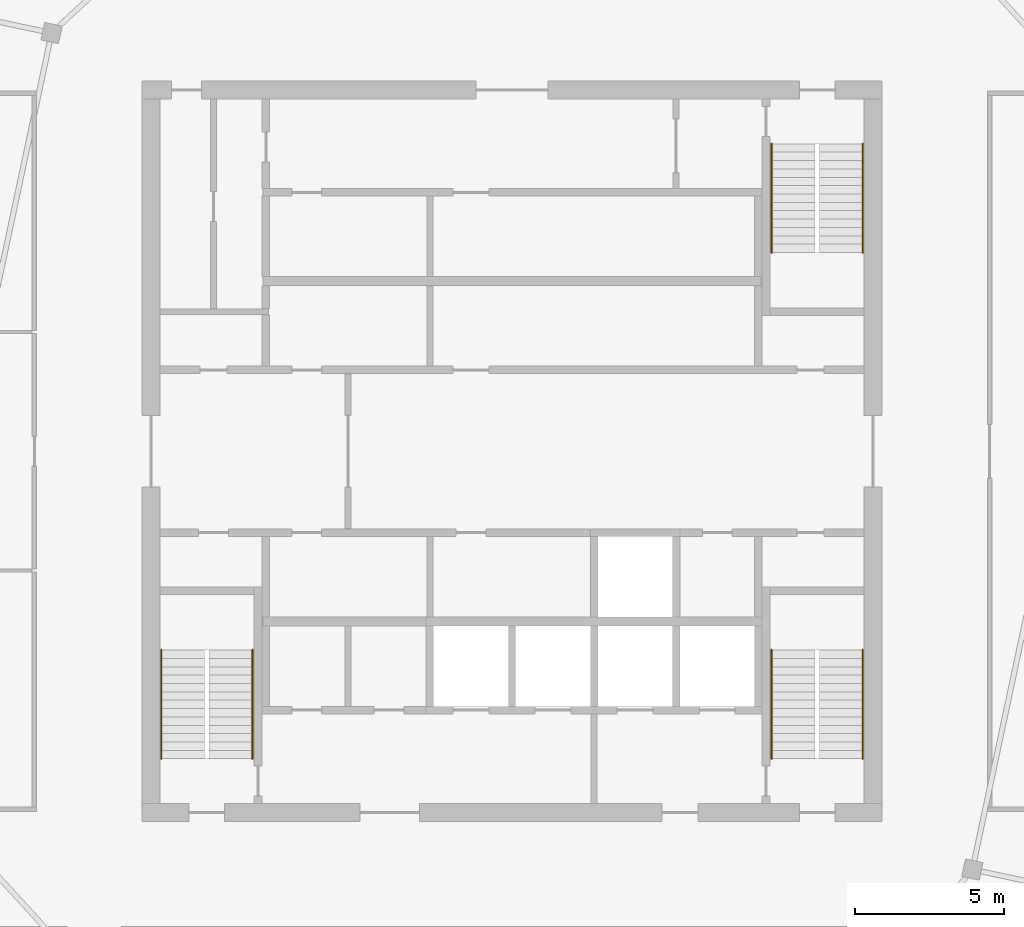
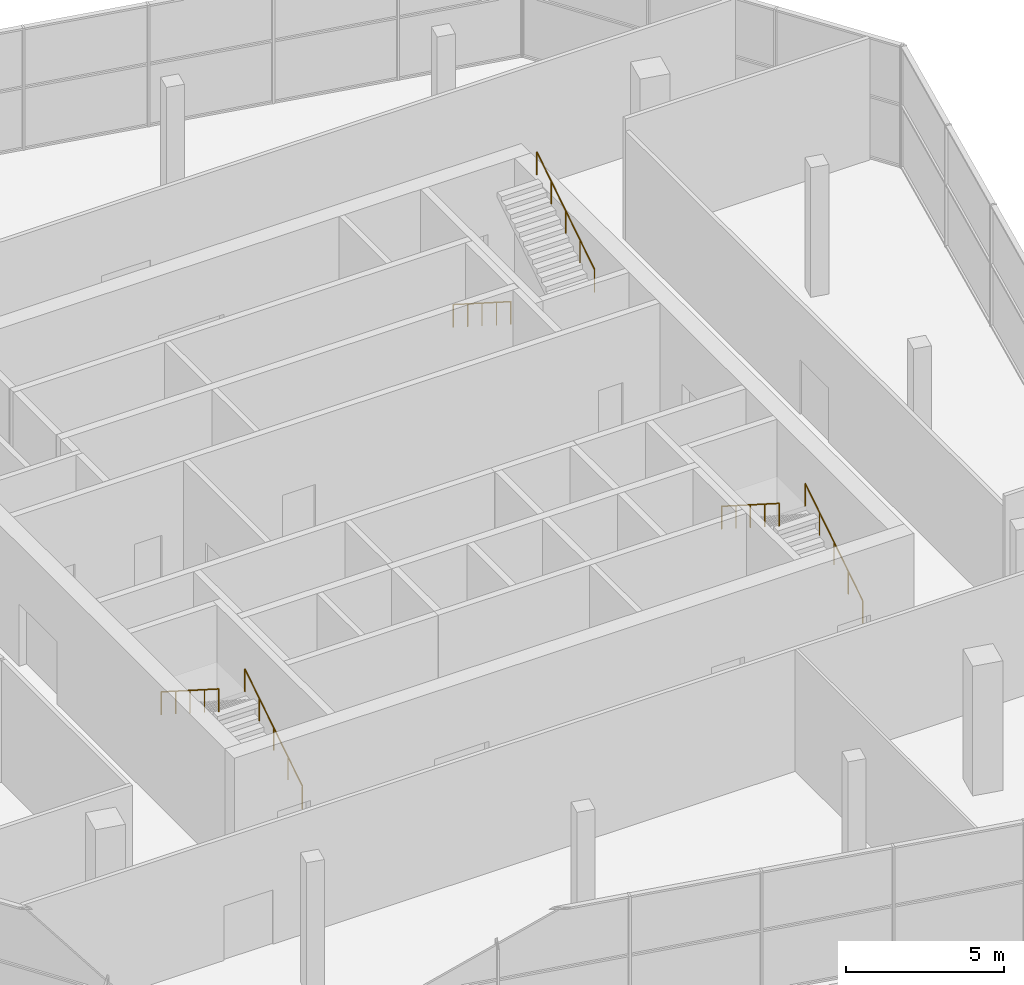
# One storey, part 11 of 11: 6 railings.
"""IFC4 building model written with IfcOpenShell, lengths in metres."""

from ifc_helpers import new_model, si_unit, direction, frame, origin, origin_2d, place, context, subcontext, project, spatial, circle, extrude, material, type_object, element, save


model = new_model("IFC4")

# Units and contexts
model_context = context("Model", 3, precision=1e-05, world=origin(), true_north=direction((0.0, 1.0)))
body_context = subcontext(model_context, "Body", "Model", "MODEL_VIEW")
ifc_project = project(units=[si_unit("LENGTHUNIT", "METRE"), si_unit("AREAUNIT", "SQUARE_METRE"), si_unit("VOLUMEUNIT", "CUBIC_METRE"), si_unit("PLANEANGLEUNIT", "RADIAN"), si_unit("MASSUNIT", "GRAM", prefix="KILO")], contexts=[model_context])

# Site, building, storey
site_placement = place(None, origin())
site = spatial("IfcSite", under=ifc_project, at=site_placement, CompositionType="ELEMENT")
building_placement = place(site_placement, origin())
building = spatial("IfcBuilding", under=site, at=building_placement, Name="Dilmun Exchange Tower", CompositionType="ELEMENT")
storey_placement = place(building_placement, frame((0.0, 0.0, 363.10009765625)))
storey = spatial("IfcBuildingStorey", under=building, at=storey_placement, Name="Crown L85", CompositionType="ELEMENT", Elevation=363.10009765625)

# Railings
ifc_material = material(Name="Stainless steel", Category="steel")
railing_type = type_object("IfcRailingType", Name="Stair handrail 900", PredefinedType="HANDRAIL", material=ifc_material)
railing_1_placement = place(storey_placement, frame((8.699951171875, 10.300048828125, 0.178466796875)))
element("IfcRailing", 1, at=railing_1_placement, inside=storey, type_object=railing_type, Name="Crown L85 ST1 stair handrail 1", PredefinedType="HANDRAIL", context=body_context, shape_type="SweptSolid", body=[
    extrude(circle(Radius=0.02392578125, at=origin_2d()), frame((0.0, 0.0, 0.8759765625), z_axis=(0.0, -0.843127859045, 0.537713132908), x_axis=(1.0, 0.0, 0.0)), (0.0, 0.0, 1.0), 4.3173828125),
    extrude(circle(Radius=0.02099609375, at=origin_2d()), origin(), (0.0, 0.0, 1.0), 0.851806640625),
    extrude(circle(Radius=0.02099609375, at=origin_2d()), frame((0.0, -0.91015625, 0.580322265625)), (0.0, 0.0, 1.0), 0.851806640625),
    extrude(circle(Radius=0.02099609375, at=origin_2d()), frame((0.0, -1.820068359375, 1.16064453125)), (0.0, 0.0, 1.0), 0.851806640625),
    extrude(circle(Radius=0.02099609375, at=origin_2d()), frame((0.0, -2.72998046875, 1.7412109375)), (0.0, 0.0, 1.0), 0.851806640625),
    extrude(circle(Radius=0.02099609375, at=origin_2d()), frame((0.0, -3.64013671875, 2.321533203125)), (0.0, 0.0, 1.0), 0.851806640625),
])
for number, where, name in (
    (2, (11.75, 6.659912109375, 2.678466796875), "Crown L85 ST1 stair handrail 2"),
    (3, (-8.699951171875, -10.300048828125, 0.178466796875), "Crown L85 ST2 stair handrail 1"),
):
    element("IfcRailing", number, at=place(storey_placement, frame(where)), inside=storey, type_object=railing_type, Name=name, PredefinedType="HANDRAIL", context=body_context, shape_type="SweptSolid", body=[
        extrude(circle(Radius=0.02392578125, at=origin_2d()), frame((0.0, 0.0, 0.8759765625), z_axis=(0.0, 0.843127859045, 0.537713132908), x_axis=(-1.0, 0.0, 0.0)), (0.0, 0.0, 1.0), 4.3173828125),
        extrude(circle(Radius=0.02099609375, at=origin_2d()), origin(), (0.0, 0.0, 1.0), 0.851806640625),
        extrude(circle(Radius=0.02099609375, at=origin_2d()), frame((0.0, 0.91015625, 0.580322265625)), (0.0, 0.0, 1.0), 0.851806640625),
        extrude(circle(Radius=0.02099609375, at=origin_2d()), frame((0.0, 1.820068359375, 1.16064453125)), (0.0, 0.0, 1.0), 0.851806640625),
        extrude(circle(Radius=0.02099609375, at=origin_2d()), frame((0.0, 2.72998046875, 1.7412109375)), (0.0, 0.0, 1.0), 0.851806640625),
        extrude(circle(Radius=0.02099609375, at=origin_2d()), frame((0.0, 3.64013671875, 2.321533203125)), (0.0, 0.0, 1.0), 0.851806640625),
    ])
railing_2_placement = place(storey_placement, frame((-11.75, -6.659912109375, 2.678466796875)))
element("IfcRailing", 4, at=railing_2_placement, inside=storey, type_object=railing_type, Name="Crown L85 ST2 stair handrail 2", PredefinedType="HANDRAIL", context=body_context, shape_type="SweptSolid", body=[
    extrude(circle(Radius=0.02392578125, at=origin_2d()), frame((0.0, 0.0, 0.8759765625), z_axis=(0.0, -0.843127859045, 0.537713132908), x_axis=(1.0, 0.0, 0.0)), (0.0, 0.0, 1.0), 4.3173828125),
    extrude(circle(Radius=0.02099609375, at=origin_2d()), origin(), (0.0, 0.0, 1.0), 0.851806640625),
    extrude(circle(Radius=0.02099609375, at=origin_2d()), frame((0.0, -0.91015625, 0.580322265625)), (0.0, 0.0, 1.0), 0.851806640625),
    extrude(circle(Radius=0.02099609375, at=origin_2d()), frame((0.0, -1.820068359375, 1.16064453125)), (0.0, 0.0, 1.0), 0.851806640625),
    extrude(circle(Radius=0.02099609375, at=origin_2d()), frame((0.0, -2.72998046875, 1.7412109375)), (0.0, 0.0, 1.0), 0.851806640625),
    extrude(circle(Radius=0.02099609375, at=origin_2d()), frame((0.0, -3.64013671875, 2.321533203125)), (0.0, 0.0, 1.0), 0.851806640625),
])
railing_3_placement = place(storey_placement, frame((11.75, -10.300048828125, 0.178466796875)))
element("IfcRailing", 5, at=railing_3_placement, inside=storey, type_object=railing_type, Name="Crown L85 ST3 stair handrail 1", PredefinedType="HANDRAIL", context=body_context, shape_type="SweptSolid", body=[
    extrude(circle(Radius=0.02392578125, at=origin_2d()), frame((0.0, 0.0, 0.8759765625), z_axis=(0.0, 0.843127859045, 0.537713132908), x_axis=(-1.0, 0.0, 0.0)), (0.0, 0.0, 1.0), 4.3173828125),
    extrude(circle(Radius=0.02099609375, at=origin_2d()), origin(), (0.0, 0.0, 1.0), 0.851806640625),
    extrude(circle(Radius=0.02099609375, at=origin_2d()), frame((0.0, 0.91015625, 0.580322265625)), (0.0, 0.0, 1.0), 0.851806640625),
    extrude(circle(Radius=0.02099609375, at=origin_2d()), frame((0.0, 1.820068359375, 1.16064453125)), (0.0, 0.0, 1.0), 0.851806640625),
    extrude(circle(Radius=0.02099609375, at=origin_2d()), frame((0.0, 2.72998046875, 1.7412109375)), (0.0, 0.0, 1.0), 0.851806640625),
    extrude(circle(Radius=0.02099609375, at=origin_2d()), frame((0.0, 3.64013671875, 2.321533203125)), (0.0, 0.0, 1.0), 0.851806640625),
])
railing_4_placement = place(storey_placement, frame((8.699951171875, -6.659912109375, 2.678466796875)))
element("IfcRailing", 6, at=railing_4_placement, inside=storey, type_object=railing_type, Name="Crown L85 ST3 stair handrail 2", PredefinedType="HANDRAIL", context=body_context, shape_type="SweptSolid", body=[
    extrude(circle(Radius=0.02392578125, at=origin_2d()), frame((0.0, 0.0, 0.8759765625), z_axis=(0.0, -0.843127859045, 0.537713132908), x_axis=(1.0, 0.0, 0.0)), (0.0, 0.0, 1.0), 4.3173828125),
    extrude(circle(Radius=0.02099609375, at=origin_2d()), origin(), (0.0, 0.0, 1.0), 0.851806640625),
    extrude(circle(Radius=0.02099609375, at=origin_2d()), frame((0.0, -0.91015625, 0.580322265625)), (0.0, 0.0, 1.0), 0.851806640625),
    extrude(circle(Radius=0.02099609375, at=origin_2d()), frame((0.0, -1.820068359375, 1.16064453125)), (0.0, 0.0, 1.0), 0.851806640625),
    extrude(circle(Radius=0.02099609375, at=origin_2d()), frame((0.0, -2.72998046875, 1.7412109375)), (0.0, 0.0, 1.0), 0.851806640625),
    extrude(circle(Radius=0.02099609375, at=origin_2d()), frame((0.0, -3.64013671875, 2.321533203125)), (0.0, 0.0, 1.0), 0.851806640625),
])

save(model, "model.ifc")
